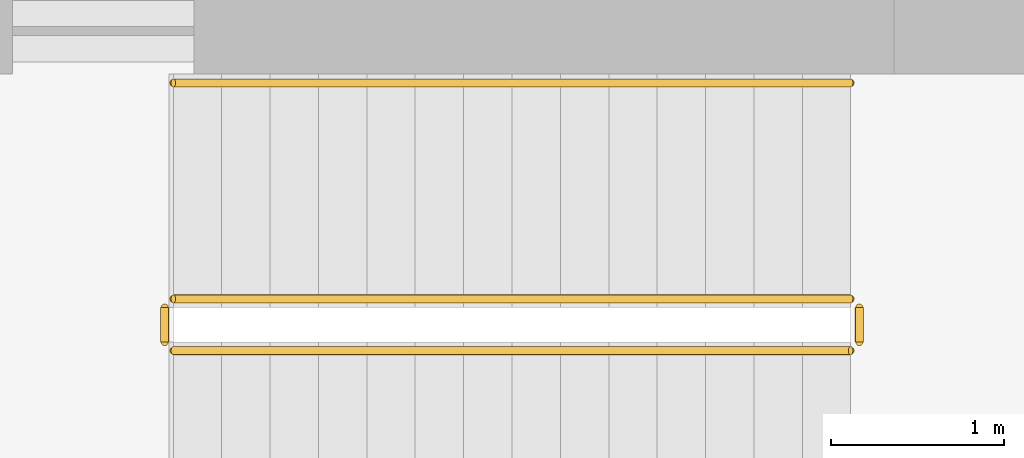
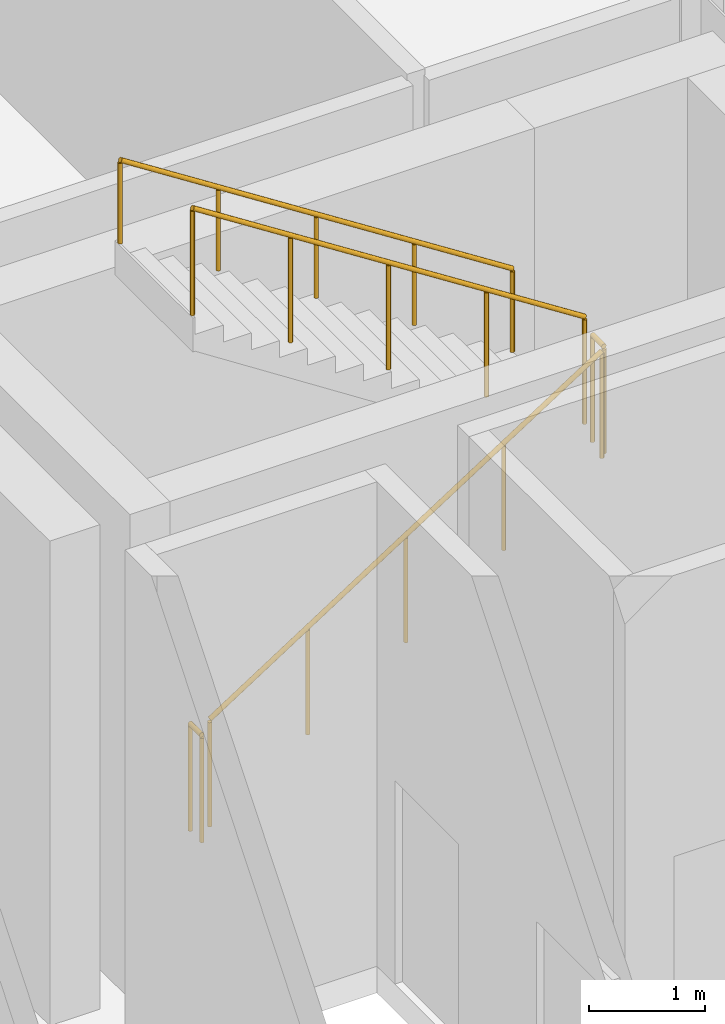
# One storey, part 29 of 32: 5 railings.
"""IFC4 building model written with IfcOpenShell, lengths in metres."""

from ifc_helpers import new_model, si_unit, direction, frame, origin, origin_2d, place, context, subcontext, project, spatial, circle, extrude, material, type_object, element, save


model = new_model("IFC4")

# Units and contexts
model_context = context("Model", 3, precision=1e-05, world=origin(), true_north=direction((0.0, 1.0)))
body_context = subcontext(model_context, "Body", "Model", "MODEL_VIEW")
ifc_project = project(units=[si_unit("LENGTHUNIT", "METRE"), si_unit("AREAUNIT", "SQUARE_METRE"), si_unit("VOLUMEUNIT", "CUBIC_METRE"), si_unit("PLANEANGLEUNIT", "RADIAN"), si_unit("MASSUNIT", "GRAM", prefix="KILO")], contexts=[model_context])

# Site, building, storey
site_placement = place(None, origin())
site = spatial("IfcSite", under=ifc_project, at=site_placement, CompositionType="ELEMENT")
building_placement = place(site_placement, origin())
building = spatial("IfcBuilding", under=site, at=building_placement, Name="Barlavira Tower and Art Museum", CompositionType="ELEMENT")
storey_placement = place(building_placement, frame((0.0, 0.0, 6.0)))
storey = spatial("IfcBuildingStorey", under=building, at=storey_placement, Name="L01", CompositionType="ELEMENT", Elevation=6.0)

# Railings
ifc_material = material(Name="Brushed stainless steel", Category="steel")
railing_type_1 = type_object("IfcRailingType", Name="Interior Void and Landing Guard Railing 1150", PredefinedType="GUARDRAIL", material=ifc_material)
railing_1_placement = place(storey_placement, frame((-4.169921875, 5.64990234375, 0.179931640625)))
element("IfcRailing", 1, at=railing_1_placement, inside=storey, type_object=railing_type_1, Name="L01 ST-T2 stair guard 1", PredefinedType="GUARDRAIL", context=body_context, shape_type="SweptSolid", body=[
    extrude(circle(Radius=0.02392578125, at=origin_2d()), frame((0.0, 0.0, 1.1259765625), z_axis=(0.841171666519, 0.0, 0.540768182723), x_axis=(0.0, 1.0, 0.0)), (0.0, 0.0, 1.0), 4.66015625),
    extrude(circle(Radius=0.02099609375, at=origin_2d()), origin(), (0.0, 0.0, 1.0), 1.101806640625),
    extrude(circle(Radius=0.02099609375, at=origin_2d()), frame((0.97998046875, 0.0, 0.6298828125)), (0.0, 0.0, 1.0), 1.101806640625),
    extrude(circle(Radius=0.02099609375, at=origin_2d()), frame((1.9599609375, 0.0, 1.260009765625)), (0.0, 0.0, 1.0), 1.101806640625),
    extrude(circle(Radius=0.02099609375, at=origin_2d()), frame((2.93994140625, 0.0, 1.89013671875)), (0.0, 0.0, 1.0), 1.101806640625),
    extrude(circle(Radius=0.02099609375, at=origin_2d()), frame((3.919921875, 0.0, 2.52001953125)), (0.0, 0.0, 1.0), 1.101806640625),
])
railing_2_placement = place(storey_placement, frame((-0.199951171875, 5.699951171875, 2.699951171875)))
element("IfcRailing", 2, at=railing_2_placement, inside=storey, type_object=railing_type_1, Name="L01 ST-T2 stair guard 2", PredefinedType="GUARDRAIL", context=body_context, shape_type="SweptSolid", body=[
    extrude(circle(Radius=0.02392578125, at=origin_2d()), frame((0.0, 0.0, 1.1259765625), z_axis=(0.0, 1.0, 0.0), x_axis=(-1.0, 0.0, 0.0)), (0.0, 0.0, 1.0), 0.199951171875),
    extrude(circle(Radius=0.02099609375, at=origin_2d()), origin(), (0.0, 0.0, 1.0), 1.101806640625),
    extrude(circle(Radius=0.02099609375, at=origin_2d()), frame((0.0, 0.199951171875, 0.0)), (0.0, 0.0, 1.0), 1.101806640625),
])
railing_3_placement = place(storey_placement, frame((-0.25, 5.949951171875, 2.8798828125)))
element("IfcRailing", 3, at=railing_3_placement, inside=storey, type_object=railing_type_1, Name="L01 ST-T2 stair guard 3", PredefinedType="GUARDRAIL", context=body_context, shape_type="SweptSolid", body=[
    extrude(circle(Radius=0.02392578125, at=origin_2d()), frame((0.0, 0.0, 1.1259765625), z_axis=(-0.841171666519, 0.0, 0.540768182723), x_axis=(0.0, -1.0, 0.0)), (0.0, 0.0, 1.0), 4.66015625),
    extrude(circle(Radius=0.02099609375, at=origin_2d()), origin(), (0.0, 0.0, 1.0), 1.101806640625),
    extrude(circle(Radius=0.02099609375, at=origin_2d()), frame((-0.97998046875, 0.0, 0.6298828125)), (0.0, 0.0, 1.0), 1.101806640625),
    extrude(circle(Radius=0.02099609375, at=origin_2d()), frame((-1.9599609375, 0.0, 1.260009765625)), (0.0, 0.0, 1.0), 1.101806640625),
    extrude(circle(Radius=0.02099609375, at=origin_2d()), frame((-2.93994140625, 0.0, 1.89013671875)), (0.0, 0.0, 1.0), 1.101806640625),
    extrude(circle(Radius=0.02099609375, at=origin_2d()), frame((-3.919921875, 0.0, 2.52001953125)), (0.0, 0.0, 1.0), 1.101806640625),
])
railing_4_placement = place(storey_placement, frame((-4.219970703125, 5.699951171875, 0.0)))
element("IfcRailing", 4, at=railing_4_placement, inside=storey, type_object=railing_type_1, Name="L01 ST-T2 stair guard 4", PredefinedType="GUARDRAIL", context=body_context, shape_type="SweptSolid", body=[
    extrude(circle(Radius=0.02392578125, at=origin_2d()), frame((0.0, 0.0, 1.1259765625), z_axis=(0.0, 1.0, 0.0), x_axis=(-1.0, 0.0, 0.0)), (0.0, 0.0, 1.0), 0.199951171875),
    extrude(circle(Radius=0.02099609375, at=origin_2d()), origin(), (0.0, 0.0, 1.0), 1.101806640625),
    extrude(circle(Radius=0.02099609375, at=origin_2d()), frame((0.0, 0.199951171875, 0.0)), (0.0, 0.0, 1.0), 1.101806640625),
])
railing_type_2 = type_object("IfcRailingType", Name="Stair Pitch Tubular Steel Handrail 920", PredefinedType="HANDRAIL", material=ifc_material)
railing_5_placement = place(storey_placement, frame((-0.25, 7.199951171875, 2.8798828125)))
element("IfcRailing", 5, at=railing_5_placement, inside=storey, type_object=railing_type_2, Name="L01 ST-T2 stair handrail 2", PredefinedType="HANDRAIL", context=body_context, shape_type="SweptSolid", body=[
    extrude(circle(Radius=0.02392578125, at=origin_2d()), frame((0.0, 0.0, 0.8759765625), z_axis=(-0.841171666519, 0.0, 0.540768182723), x_axis=(0.0, -1.0, 0.0)), (0.0, 0.0, 1.0), 4.66015625),
    extrude(circle(Radius=0.02099609375, at=origin_2d()), origin(), (0.0, 0.0, 1.0), 0.851806640625),
    extrude(circle(Radius=0.02099609375, at=origin_2d()), frame((-0.97998046875, 0.0, 0.6298828125)), (0.0, 0.0, 1.0), 0.851806640625),
    extrude(circle(Radius=0.02099609375, at=origin_2d()), frame((-1.9599609375, 0.0, 1.260009765625)), (0.0, 0.0, 1.0), 0.851806640625),
    extrude(circle(Radius=0.02099609375, at=origin_2d()), frame((-2.93994140625, 0.0, 1.89013671875)), (0.0, 0.0, 1.0), 0.851806640625),
    extrude(circle(Radius=0.02099609375, at=origin_2d()), frame((-3.919921875, 0.0, 2.52001953125)), (0.0, 0.0, 1.0), 0.851806640625),
])

save(model, "model.ifc")
